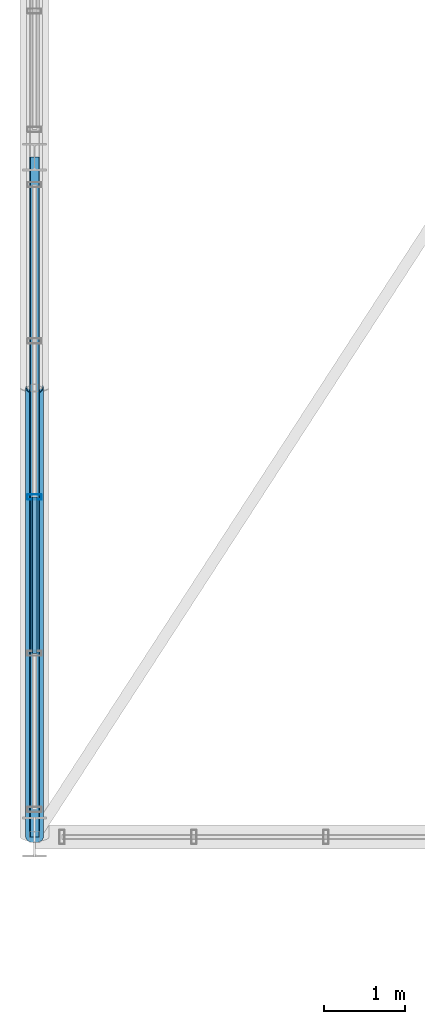
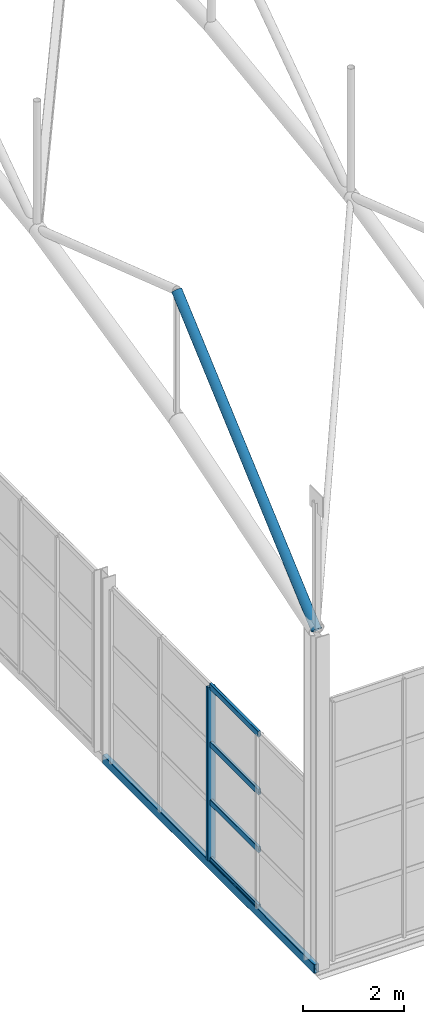
# One storey, part 17 of 153: 6 members, 1 beam, 1 element without a shape of its own.
"""IFC4 building model written with IfcOpenShell, lengths in metres."""

from ifc_helpers import new_model, si_unit, derived_unit, direction, frame, origin, origin_2d, place, context, subcontext, project, spatial, hollow_rectangle, hollow_circle, extrude, material, material_profile, profile_set, type_object, element, aggregate, save


model = new_model("IFC4")

# Units and contexts
model_context = context("Model", 3, precision=1e-05, world=origin(), true_north=direction((0.0, 1.0)))
body_context = subcontext(model_context, "Body", "Model", "MODEL_VIEW")
ifc_project = project(units=[si_unit("LENGTHUNIT", "METRE"), si_unit("AREAUNIT", "SQUARE_METRE"), si_unit("VOLUMEUNIT", "CUBIC_METRE"), si_unit("PLANEANGLEUNIT", "RADIAN"), si_unit("MASSUNIT", "GRAM", prefix="KILO"), derived_unit("THERMALTRANSMITTANCEUNIT", [(si_unit("POWERUNIT", "WATT"), 1), (si_unit("LENGTHUNIT", "METRE"), -2), (si_unit("THERMODYNAMICTEMPERATUREUNIT", "KELVIN"), -1)])], contexts=[model_context])

# Site, building, storey
site_placement = place(None, origin())
site = spatial("IfcSite", under=ifc_project, at=site_placement, CompositionType="ELEMENT")
building_placement = place(site_placement, origin())
building = spatial("IfcBuilding", under=site, at=building_placement, Name="Keldorne Ridge Multi-Sports Centre", CompositionType="ELEMENT")
storey_placement = place(building_placement, frame((0.0, 0.0, 9.60009765625)))
storey = spatial("IfcBuildingStorey", under=building, at=storey_placement, Name="L02", CompositionType="ELEMENT", Elevation=9.60009765625)

# Beam
ifc_material_1 = material(Name="Steel S355", Category="steel")
ifc_material_profile_1 = material_profile(ifc_material_1, hollow_rectangle(XDim=0.1201171875, YDim=0.219970703125, WallThickness=0.010009765625, InnerFilletRadius=0.010009765625, OuterFilletRadius=0.02001953125, at=origin_2d()), Name="RHS 220x120x10")
ifc_profile_set_1 = profile_set([ifc_material_profile_1], Name="Steel S355")
beam_type = type_object("IfcBeamType", Name="BM-SP-07", PredefinedType="SPANDREL", material=ifc_profile_set_1)
beam_placement = place(storey_placement, frame((6.0, 9.60009765625, -0.110107421875), z_axis=(0.0, 1.0, 0.0), x_axis=(-1.0, 0.0, 0.0)))
element("IfcBeam", 1, at=beam_placement, inside=storey, type_object=beam_type, Name="Main Hall west gable spandrel L02.1", PredefinedType="SPANDREL", context=body_context, shape_type="SweptSolid", body=[
    extrude(hollow_rectangle(XDim=0.1201171875, YDim=0.219970703125, WallThickness=0.010009765625, InnerFilletRadius=0.010009765625, OuterFilletRadius=0.02001953125, at=origin_2d()), origin(), (0.0, 0.0, 1.0), 8.39990234375),
])

# Curtain wall, member
ifc_material_2 = material(Name="Anodized aluminium", Category="aluminium")
curtain_wall_type = type_object("IfcCurtainWallType", Name="CW-CW-05", PredefinedType="NOTDEFINED", material=ifc_material_2)
curtain_wall_placement = place(storey_placement, origin())
curtain_wall = element("IfcCurtainWall", 2, at=curtain_wall_placement, inside=storey, type_object=curtain_wall_type, Name="Main Hall west high gable glazing 029", PredefinedType="NOTDEFINED")
ifc_material_profile_2 = material_profile(ifc_material_2, hollow_rectangle(XDim=0.06494140625, YDim=0.179931640625, WallThickness=0.00439453125, InnerFilletRadius=0.00439453125, OuterFilletRadius=0.009033203125, at=origin_2d()), Name="ALU MULLION 180x65x4.5")
ifc_profile_set_2 = profile_set([ifc_material_profile_2], Name="Anodized aluminium")
member_type_1 = type_object("IfcMemberType", Name="MEM-ML-01", PredefinedType="MULLION", material=ifc_profile_set_2)
member_1_placement = place(storey_placement, frame((6.0, 13.800048828125, 0.0), z_axis=(0.0, 0.0, 1.0), x_axis=(0.0, 1.0, 0.0)))
member_1 = element("IfcMember", 3, at=member_1_placement, type_object=member_type_1, Name="CW-029 vertical mullion 3", PredefinedType="MULLION", context=body_context, shape_type="SweptSolid", body=[
    extrude(hollow_rectangle(XDim=0.06494140625, YDim=0.179931640625, WallThickness=0.00439453125, InnerFilletRadius=0.00439453125, OuterFilletRadius=0.009033203125, at=origin_2d()), origin(), (0.0, 0.0, 1.0), 4.199951171875),
])

# Member
ifc_material_profile_3 = material_profile(ifc_material_1, hollow_circle(Radius=0.109619140625, WallThickness=0.012451171875, at=origin_2d()), Name="CHS 219.1x12.5")
ifc_profile_set_3 = profile_set([ifc_material_profile_3], Name="Steel S355")
member_type_2 = type_object("IfcMemberType", Name="MEM-TD-04", PredefinedType="BRACE", material=ifc_profile_set_3)
member_2_placement = place(storey_placement, frame((6.0, 9.60009765625, 8.099853515625), z_axis=(0.0, 0.751633717976, 0.659580741078), x_axis=(-1.0, 0.0, 0.0)))
element("IfcMember", 4, at=member_2_placement, inside=storey, type_object=member_type_2, Name="Main Hall ROOF TRUSS AT-01 diagonal 1", PredefinedType="BRACE", context=body_context, shape_type="SweptSolid", body=[
    extrude(hollow_circle(Radius=0.109619140625, WallThickness=0.012451171875, at=origin_2d()), origin(), (0.0, 0.0, 1.0), 7.383544921875),
])

ifc_material_profile_4 = material_profile(ifc_material_2, hollow_rectangle(XDim=0.06494140625, YDim=0.139892578125, WallThickness=0.00439453125, InnerFilletRadius=0.00439453125, OuterFilletRadius=0.009033203125, at=origin_2d()), Name="ALU TRANSOM 140x65x4.5")
ifc_profile_set_4 = profile_set([ifc_material_profile_4], Name="Anodized aluminium")
member_type_3 = type_object("IfcMemberType", Name="MEM-TR-01", PredefinedType="USERDEFINED", material=ifc_profile_set_4)
member_3_placement = place(storey_placement, frame((6.0, 13.800048828125, 0.0), z_axis=(0.0, -1.0, 0.0), x_axis=(1.0, 0.0, 0.0)))
member_3 = element("IfcMember", 5, at=member_3_placement, type_object=member_type_3, Name="CW-029 transom 3.1", ObjectType="TRANSOM", PredefinedType="USERDEFINED", context=body_context, shape_type="SweptSolid", body=[
    extrude(hollow_rectangle(XDim=0.06494140625, YDim=0.139892578125, WallThickness=0.00439453125, InnerFilletRadius=0.00439453125, OuterFilletRadius=0.009033203125, at=origin_2d()), origin(), (0.0, 0.0, 1.0), 1.929931640625),
])

member_4_placement = place(storey_placement, frame((6.0, 13.800048828125, 1.39990234375), z_axis=(0.0, -1.0, 0.0), x_axis=(1.0, 0.0, 0.0)))
member_4 = element("IfcMember", 6, at=member_4_placement, type_object=member_type_3, Name="CW-029 transom 3.2", ObjectType="TRANSOM", PredefinedType="USERDEFINED", context=body_context, shape_type="SweptSolid", body=[
    extrude(hollow_rectangle(XDim=0.06494140625, YDim=0.139892578125, WallThickness=0.00439453125, InnerFilletRadius=0.00439453125, OuterFilletRadius=0.009033203125, at=origin_2d()), origin(), (0.0, 0.0, 1.0), 1.929931640625),
])

member_5_placement = place(storey_placement, frame((6.0, 13.800048828125, 2.7998046875), z_axis=(0.0, -1.0, 0.0), x_axis=(1.0, 0.0, 0.0)))
member_5 = element("IfcMember", 7, at=member_5_placement, type_object=member_type_3, Name="CW-029 transom 3.3", ObjectType="TRANSOM", PredefinedType="USERDEFINED", context=body_context, shape_type="SweptSolid", body=[
    extrude(hollow_rectangle(XDim=0.06494140625, YDim=0.139892578125, WallThickness=0.00439453125, InnerFilletRadius=0.00439453125, OuterFilletRadius=0.009033203125, at=origin_2d()), origin(), (0.0, 0.0, 1.0), 1.929931640625),
])

member_6_placement = place(storey_placement, frame((6.0, 13.800048828125, 4.199951171875), z_axis=(0.0, -1.0, 0.0), x_axis=(1.0, 0.0, 0.0)))
member_6 = element("IfcMember", 8, at=member_6_placement, type_object=member_type_3, Name="CW-029 transom 3.4", ObjectType="TRANSOM", PredefinedType="USERDEFINED", context=body_context, shape_type="SweptSolid", body=[
    extrude(hollow_rectangle(XDim=0.06494140625, YDim=0.139892578125, WallThickness=0.00439453125, InnerFilletRadius=0.00439453125, OuterFilletRadius=0.009033203125, at=origin_2d()), origin(), (0.0, 0.0, 1.0), 1.929931640625),
])

aggregate(curtain_wall, [member_1, member_3, member_4, member_5, member_6])

save(model, "model.ifc")
